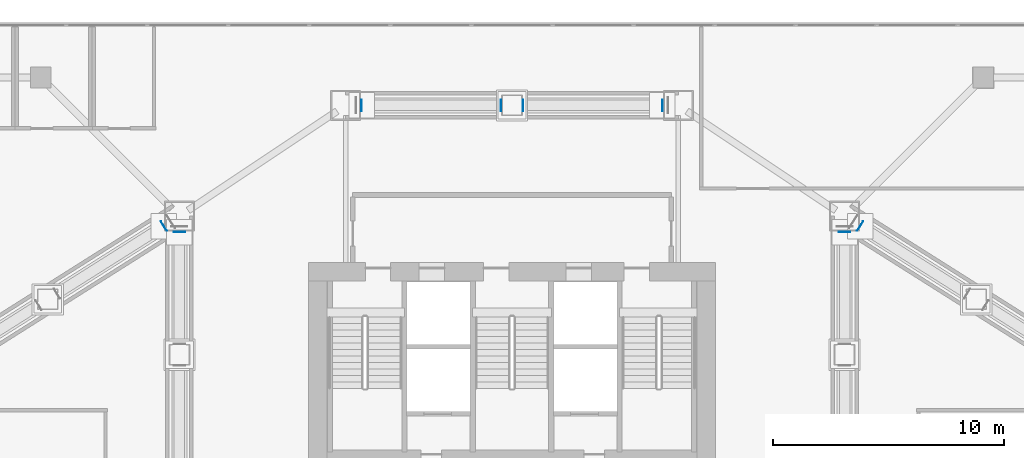
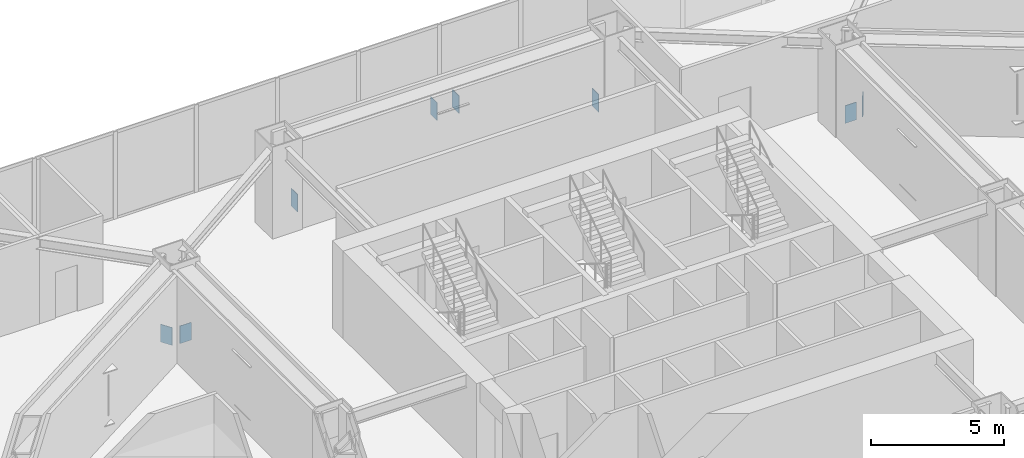
# One storey, part 30 of 39: 8 plates.
"""IFC4 building model written with IfcOpenShell, lengths in metres."""

from ifc_helpers import new_model, si_unit, direction, frame, origin, origin_2d, place, context, subcontext, project, spatial, rectangle, extrude, material, layer, layer_set, type_object, element, save


model = new_model("IFC4")

# Units and contexts
model_context = context("Model", 3, precision=1e-05, world=origin(), true_north=direction((0.0, 1.0)))
body_context = subcontext(model_context, "Body", "Model", "MODEL_VIEW")
ifc_project = project(units=[si_unit("LENGTHUNIT", "METRE"), si_unit("AREAUNIT", "SQUARE_METRE"), si_unit("VOLUMEUNIT", "CUBIC_METRE"), si_unit("PLANEANGLEUNIT", "RADIAN"), si_unit("MASSUNIT", "GRAM", prefix="KILO")], contexts=[model_context])

# Site, building, storey
site_placement = place(None, origin())
site = spatial("IfcSite", under=ifc_project, at=site_placement, CompositionType="ELEMENT")
building_placement = place(site_placement, origin())
building = spatial("IfcBuilding", under=site, at=building_placement, Name="Haolan Belvedere Tower", CompositionType="ELEMENT")
storey_placement = place(building_placement, frame((0.0, 0.0, 19.800048828125)))
storey = spatial("IfcBuildingStorey", under=building, at=storey_placement, Name="L04", CompositionType="ELEMENT", Elevation=19.800048828125)

# Plates
ifc_material = material(Name="Steel Q355B", Category="steel")
ifc_layer = layer(ifc_material, 0.02490234375, Name="Steel Q355B")
ifc_layer_set = layer_set([ifc_layer], Name="Steel Q355B")
plate_type = type_object("IfcPlateType", Name="PL-CAP-25", PredefinedType="SHEET", material=ifc_layer_set)
for number, where, z_axis, x_axis, name in (
    (1, (24.0, 44.92138671875, 0.530029296875), (0.0, 0.0, 1.0), (-1.0, 0.0, 0.0), "Hollow steel end-cap plate TT-T3-W2-DG2-CAP0"),
    (2, (52.800048828125, 44.92138671875, 0.530029296875), (0.0, 0.0, 1.0), (-1.0, 0.0, 0.0), "Hollow steel end-cap plate TT-T3-E2-DG2-CAP0"),
    (3, (31.878173828125, 50.39990234375, 0.53076171875), (0.0, 0.0, 1.0), (0.0, -1.0, 0.0), "Hollow steel end-cap plate TT-T3-NM-DG1-CAP0"),
    (4, (37.931884765625, 50.39990234375, 2.598876953125), (0.0, 0.0, 1.0), (0.0, 1.0, 0.0), "Hollow steel end-cap plate TT-T3-NM-DG1-CAP1"),
    (5, (44.921875, 50.39990234375, 0.53076171875), (0.0, 0.0, 1.0), (0.0, 1.0, 0.0), "Hollow steel end-cap plate TT-T3-NM-DG2-CAP0"),
    (6, (38.8681640625, 50.39990234375, 2.598876953125), (0.0, 0.0, 1.0), (0.0, -1.0, 0.0), "Hollow steel end-cap plate TT-T3-NM-DG2-CAP1"),
    (7, (23.326171875, 45.17431640625, 0.530517578125), (0.0, 0.0, 1.0), (-0.533983483484, 0.845494907948, 0.0), "Hollow steel end-cap plate TT-T2-N-DG2-CAP0"),
    (8, (53.473876953125, 45.17431640625, 0.530517578125), (0.0, 0.0, 1.0), (-0.533983483484, -0.845494907948, 0.0), "Hollow steel end-cap plate TT-T4-N-DG1-CAP0"),
):
    element("IfcPlate", number, at=place(storey_placement, frame(where, z_axis=z_axis, x_axis=x_axis)), inside=storey, type_object=plate_type, Name=name, PredefinedType="SHEET", context=body_context, shape_type="SweptSolid", body=[
        extrude(rectangle(XDim=0.489990234375, YDim=0.02490234375, at=origin_2d()), origin(), (0.0, 0.0, 1.0), 0.81005859375),
    ])

save(model, "model.ifc")
